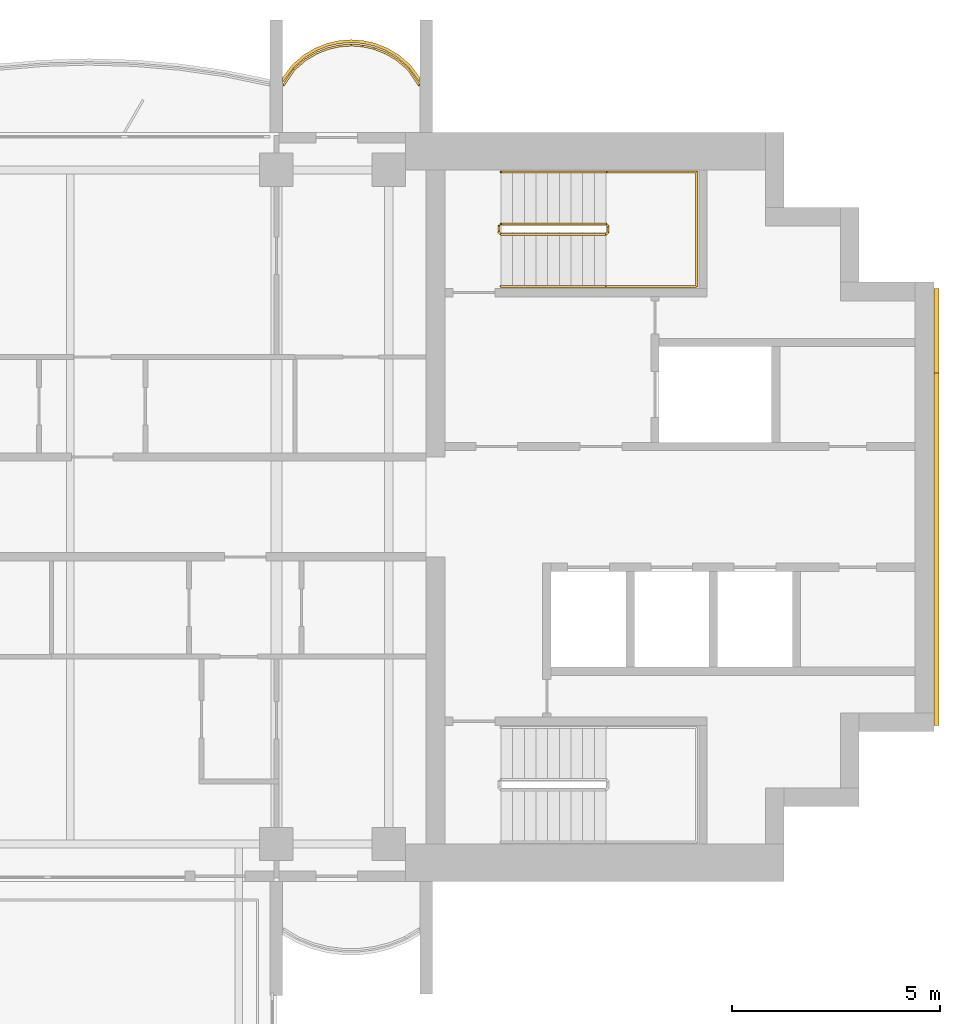
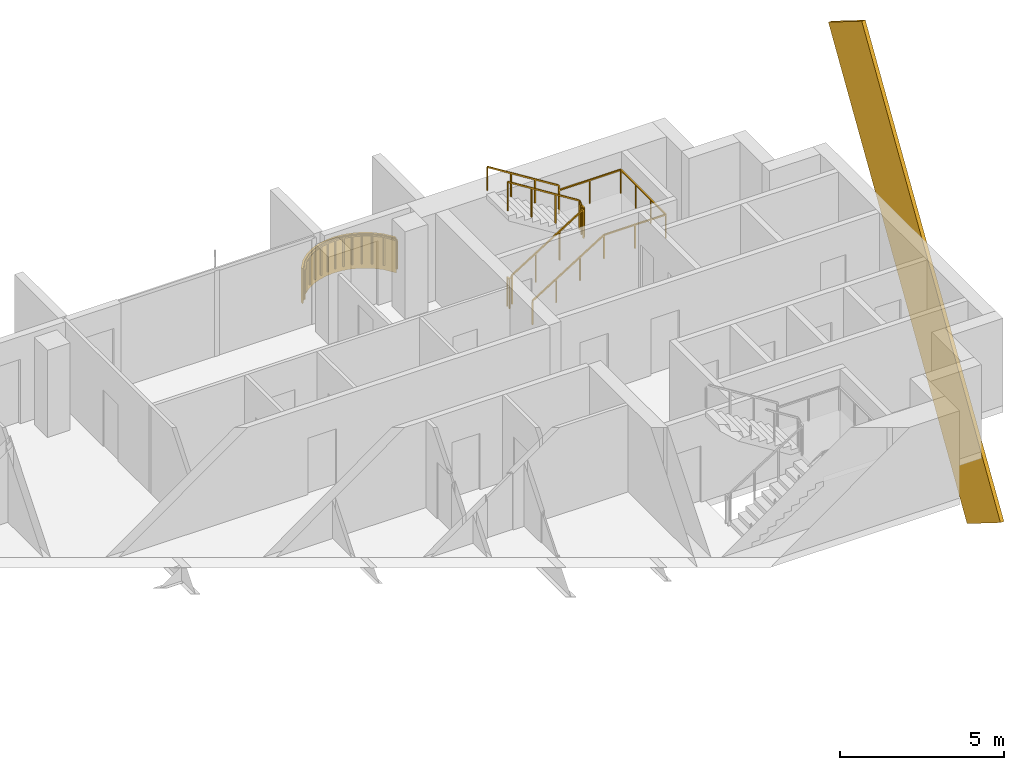
# One storey, part 16 of 16: 3 railings, 2 coverings.
"""IFC4 building model written with IfcOpenShell, lengths in metres."""

from ifc_helpers import new_model, si_unit, direction, frame, origin, origin_2d, place, context, subcontext, project, spatial, polyline, rectangle, outline, extrude, material, layer, layer_set, material_profile, profile_set, type_object, element, save


model = new_model("IFC4")

# Units and contexts
model_context = context("Model", 3, precision=1e-05, world=origin(), true_north=direction((0.0, 1.0)))
body_context = subcontext(model_context, "Body", "Model", "MODEL_VIEW")
ifc_project = project(units=[si_unit("LENGTHUNIT", "METRE"), si_unit("AREAUNIT", "SQUARE_METRE"), si_unit("VOLUMEUNIT", "CUBIC_METRE"), si_unit("PLANEANGLEUNIT", "RADIAN"), si_unit("MASSUNIT", "GRAM", prefix="KILO")], contexts=[model_context])

# Site, building, storey
site_placement = place(None, origin())
site = spatial("IfcSite", under=ifc_project, at=site_placement, CompositionType="ELEMENT")
building_placement = place(site_placement, origin())
building = spatial("IfcBuilding", under=site, at=building_placement, Name="Perihelion Cross Residences", CompositionType="ELEMENT")
storey_placement = place(building_placement, frame((0.0, 0.0, 253.5)))
storey = spatial("IfcBuildingStorey", under=building, at=storey_placement, Name="L64", CompositionType="ELEMENT", Elevation=253.5)

# Covering
ifc_material_1 = material(Name="Bronze anodised aluminium", Category="aluminium")
ifc_layer = layer(ifc_material_1, 0.070068359375)
ifc_layer_set = layer_set([ifc_layer], Name="Balcony fascia 1300")
covering_type_1 = type_object("IfcCoveringType", Name="Balcony fascia 1300", PredefinedType="CLADDING", material=ifc_layer_set)
covering_1_placement = place(storey_placement, frame((0.0, 0.0, -0.199951171875)))
element("IfcCovering", 1, at=covering_1_placement, inside=storey, type_object=covering_type_1, Name="Fascia BF1 L64 east side north bay 1", PredefinedType="CLADDING", context=body_context, shape_type="SweptSolid", body=[
    extrude(outline(polyline([(21.226318359375, 10.616455078125), (20.94091796875, 10.86328125), (20.655517578125, 11.031494140625), (20.370361328125, 11.142578125), (20.085205078125, 11.206298828125), (19.800048828125, 11.22705078125), (19.514892578125, 11.206298828125), (19.229736328125, 11.142578125), (18.9443359375, 11.031494140625), (18.6591796875, 10.86328125), (18.373779296875, 10.616455078125), (18.14990234375, 10.31689453125), (18.14990234375, 10.199951171875), (18.425048828125, 10.568603515625), (18.699951171875, 10.806396484375), (18.97509765625, 10.96875), (19.25, 11.07568359375), (19.52490234375, 11.136962890625), (19.800048828125, 11.156982421875), (20.074951171875, 11.136962890625), (20.35009765625, 11.07568359375), (20.625, 10.96875), (20.89990234375, 10.806396484375), (21.175048828125, 10.568603515625), (21.449951171875, 10.199951171875), (21.449951171875, 10.31689453125), (21.226318359375, 10.616455078125)])), origin(), (0.0, 0.0, 1.0), 1.300048828125),
])

# Railing
ifc_material_2 = material(Name="Bronze anodised aluminium", Category="aluminium")
railing_type_1 = type_object("IfcRailingType", Name="Balcony guard 1100", PredefinedType="GUARDRAIL", material=ifc_material_2)
railing_1_placement = place(storey_placement, frame((21.425048828125, 10.139892578125, 0.0)))
element("IfcRailing", 2, at=railing_1_placement, inside=storey, type_object=railing_type_1, Name="Guard GU1 L64 east side north bay 1 balcony", PredefinedType="GUARDRAIL", context=body_context, shape_type="SweptSolid", body=[
    extrude(rectangle(XDim=0.048095703125, YDim=0.048095703125, at=origin_2d()), frame((0.0, 0.0, 1.076171875), z_axis=(-0.561260132269, 0.827639452857, 0.0), x_axis=(-0.827639452857, -0.561260132269, 0.0)), (0.0, 0.0, 1.0), 0.4453125),
    extrude(rectangle(XDim=0.048095703125, YDim=0.048095703125, at=origin_2d()), frame((-0.25, 0.36865234375, 1.076171875), z_axis=(-0.756596535164, 0.653882009982, 0.0), x_axis=(-0.653882009982, -0.756596535164, 0.0)), (0.0, 0.0, 1.0), 0.36376953125),
    extrude(rectangle(XDim=0.048095703125, YDim=0.048095703125, at=origin_2d()), frame((-0.525146484375, 0.6064453125, 1.076171875), z_axis=(-0.861048292884, 0.508523192511, 0.0), x_axis=(-0.508523192511, -0.861048292884, 0.0)), (0.0, 0.0, 1.0), 0.3193359375),
    extrude(rectangle(XDim=0.048095703125, YDim=0.048095703125, at=origin_2d()), frame((-0.800048828125, 0.768798828125, 1.076171875), z_axis=(-0.931973602183, 0.362526143656, 0.0), x_axis=(-0.362526143656, -0.931973602183, 0.0)), (0.0, 0.0, 1.0), 0.294921875),
    extrude(rectangle(XDim=0.048095703125, YDim=0.048095703125, at=origin_2d()), frame((-1.074951171875, 0.875732421875, 1.076171875), z_axis=(-0.976085059389, 0.21738895289, 0.0), x_axis=(-0.21738895289, -0.976085059389, 0.0)), (0.0, 0.0, 1.0), 0.281982421875),
    extrude(rectangle(XDim=0.048095703125, YDim=0.048095703125, at=origin_2d()), frame((-1.35009765625, 0.93701171875, 1.076171875), z_axis=(-0.997358821833, 0.072631814734, 0.0), x_axis=(-0.072631814734, -0.997358821833, 0.0)), (0.0, 0.0, 1.0), 0.275634765625),
    extrude(rectangle(XDim=0.048095703125, YDim=0.048095703125, at=origin_2d()), frame((-1.625, 0.95703125, 1.076171875), z_axis=(-0.997363488337, -0.072567707226, 0.0), x_axis=(0.072567707226, -0.997363488337, 0.0)), (0.0, 0.0, 1.0), 0.27587890625),
    extrude(rectangle(XDim=0.048095703125, YDim=0.048095703125, at=origin_2d()), frame((-1.900146484375, 0.93701171875, 1.076171875), z_axis=(-0.976044077717, -0.217572880557, 0.0), x_axis=(0.217572880557, -0.976044077717, 0.0)), (0.0, 0.0, 1.0), 0.28173828125),
    extrude(rectangle(XDim=0.048095703125, YDim=0.048095703125, at=origin_2d()), frame((-2.175048828125, 0.875732421875, 1.076171875), z_axis=(-0.931973602183, -0.362526143656, 0.0), x_axis=(0.362526143656, -0.931973602183, 0.0)), (0.0, 0.0, 1.0), 0.294921875),
    extrude(rectangle(XDim=0.048095703125, YDim=0.048095703125, at=origin_2d()), frame((-2.449951171875, 0.768798828125, 1.076171875), z_axis=(-0.861245845072, -0.508188542123, 0.0), x_axis=(0.508188542123, -0.861245845072, 0.0)), (0.0, 0.0, 1.0), 0.319580078125),
    extrude(rectangle(XDim=0.048095703125, YDim=0.048095703125, at=origin_2d()), frame((-2.72509765625, 0.6064453125, 1.076171875), z_axis=(-0.756309278473, -0.654214242658, 0.0), x_axis=(0.654214242658, -0.756309278473, 0.0)), (0.0, 0.0, 1.0), 0.363525390625),
    extrude(rectangle(XDim=0.048095703125, YDim=0.048095703125, at=origin_2d()), frame((-3.0, 0.36865234375, 1.076171875), z_axis=(-0.561260132269, -0.827639452857, 0.0), x_axis=(0.827639452857, -0.561260132269, 0.0)), (0.0, 0.0, 1.0), 0.4453125),
    extrude(rectangle(XDim=0.0419921875, YDim=0.0419921875, at=origin_2d()), origin(), (0.0, 0.0, 1.0), 1.052001953125),
    extrude(rectangle(XDim=0.0419921875, YDim=0.0419921875, at=origin_2d()), frame((-0.25, 0.36865234375, 0.0)), (0.0, 0.0, 1.0), 1.052001953125),
    extrude(rectangle(XDim=0.0419921875, YDim=0.0419921875, at=origin_2d()), frame((-0.525146484375, 0.6064453125, 0.0)), (0.0, 0.0, 1.0), 1.052001953125),
    extrude(rectangle(XDim=0.0419921875, YDim=0.0419921875, at=origin_2d()), frame((-0.800048828125, 0.768798828125, 0.0)), (0.0, 0.0, 1.0), 1.052001953125),
    extrude(rectangle(XDim=0.0419921875, YDim=0.0419921875, at=origin_2d()), frame((-1.074951171875, 0.875732421875, 0.0)), (0.0, 0.0, 1.0), 1.052001953125),
    extrude(rectangle(XDim=0.0419921875, YDim=0.0419921875, at=origin_2d()), frame((-1.35009765625, 0.93701171875, 0.0)), (0.0, 0.0, 1.0), 1.052001953125),
    extrude(rectangle(XDim=0.0419921875, YDim=0.0419921875, at=origin_2d()), frame((-1.625, 0.95703125, 0.0)), (0.0, 0.0, 1.0), 1.052001953125),
    extrude(rectangle(XDim=0.0419921875, YDim=0.0419921875, at=origin_2d()), frame((-1.900146484375, 0.93701171875, 0.0)), (0.0, 0.0, 1.0), 1.052001953125),
    extrude(rectangle(XDim=0.0419921875, YDim=0.0419921875, at=origin_2d()), frame((-2.175048828125, 0.875732421875, 0.0)), (0.0, 0.0, 1.0), 1.052001953125),
    extrude(rectangle(XDim=0.0419921875, YDim=0.0419921875, at=origin_2d()), frame((-2.449951171875, 0.768798828125, 0.0)), (0.0, 0.0, 1.0), 1.052001953125),
    extrude(rectangle(XDim=0.0419921875, YDim=0.0419921875, at=origin_2d()), frame((-2.72509765625, 0.6064453125, 0.0)), (0.0, 0.0, 1.0), 1.052001953125),
    extrude(rectangle(XDim=0.0419921875, YDim=0.0419921875, at=origin_2d()), frame((-3.0, 0.36865234375, 0.0)), (0.0, 0.0, 1.0), 1.052001953125),
    extrude(rectangle(XDim=0.0419921875, YDim=0.0419921875, at=origin_2d()), frame((-3.25, 0.0, 0.0)), (0.0, 0.0, 1.0), 1.052001953125),
])

# Covering
ifc_material_3 = material(Name="Bronze anodised aluminium", Category="aluminium")
ifc_material_profile = material_profile(ifc_material_3, rectangle(XDim=0.125, YDim=2.39990234375, at=origin_2d()), Name="Bronze cladding band 2400")
ifc_profile_set = profile_set([ifc_material_profile], Name="Bronze anodised aluminium")
covering_type_2 = type_object("IfcCoveringType", Name="Bronze cladding band 2400", PredefinedType="CLADDING", material=ifc_profile_set)
covering_2_placement = place(storey_placement, frame((33.862548828125, -4.232421875, -5.088134765625), z_axis=(0.0, 0.529931619435, 0.848040375644), x_axis=(-1.0, 0.0, 0.0)))
element("IfcCovering", 3, at=covering_2_placement, inside=storey, type_object=covering_type_2, Name="Core cladding band, east core", PredefinedType="CLADDING", context=body_context, shape_type="SweptSolid", body=[
    extrude(rectangle(XDim=0.125, YDim=2.39990234375, at=origin_2d()), origin(), (0.0, 0.0, 1.0), 15.973388671875),
])

# Railings
ifc_material_4 = material(Name="Stainless steel", Category="steel")
railing_type_2 = type_object("IfcRailingType", Name="Stair guard 1100", PredefinedType="GUARDRAIL", material=ifc_material_4)
railing_2_placement = place(storey_placement, frame((23.35009765625, 6.75, 0.0)))
element("IfcRailing", 4, at=railing_2_placement, inside=storey, type_object=railing_type_2, Name="L64 ST-E1 stair guard 1", PredefinedType="GUARDRAIL", context=body_context, shape_type="SweptSolid", body=[
    extrude(rectangle(XDim=0.048095703125, YDim=0.048095703125, at=origin_2d()), frame((0.0, 0.0, 1.076171875), z_axis=(0.0, -1.0, 0.0), x_axis=(1.0, 0.0, 0.0)), (0.0, 0.0, 1.0), 0.14990234375),
    extrude(rectangle(XDim=0.048095703125, YDim=0.048095703125, at=origin_2d()), frame((0.0, -0.14990234375, 1.076171875), z_axis=(0.263862480399, -0.265155923931, 0.927399011991), x_axis=(0.708833529934, 0.705375805398, 0.0)), (0.0, 0.0, 1.0), 0.188720703125),
    extrude(rectangle(XDim=0.048095703125, YDim=0.048095703125, at=origin_2d()), frame((0.0498046875, -0.199951171875, 1.2509765625), z_axis=(0.848007534815, 0.0, 0.529984170421), x_axis=(0.0, 1.0, 0.0)), (0.0, 0.0, 1.0), 2.9716796875),
    extrude(rectangle(XDim=0.048095703125, YDim=0.048095703125, at=origin_2d()), frame((2.56982421875, -0.199951171875, 2.826171875), z_axis=(0.707106781187, 0.707106781187, 0.0), x_axis=(-0.707106781187, 0.707106781187, 0.0)), (0.0, 0.0, 1.0), 0.07080078125),
    extrude(rectangle(XDim=0.048095703125, YDim=0.048095703125, at=origin_2d()), frame((2.619873046875, -0.14990234375, 2.826171875), z_axis=(0.0, 1.0, 0.0), x_axis=(-1.0, 0.0, 0.0)), (0.0, 0.0, 1.0), 0.14990234375),
    extrude(rectangle(XDim=0.048095703125, YDim=0.048095703125, at=origin_2d()), frame((2.619873046875, 0.0, 2.826171875), z_axis=(-0.265065253269, 0.265065253269, 0.927081885822), x_axis=(-0.707106781187, -0.707106781187, 0.0)), (0.0, 0.0, 1.0), 0.188720703125),
    extrude(rectangle(XDim=0.048095703125, YDim=0.048095703125, at=origin_2d()), frame((2.56982421875, 0.050048828125, 3.0009765625), z_axis=(-0.848007534815, 0.0, 0.529984170421), x_axis=(0.0, -1.0, 0.0)), (0.0, 0.0, 1.0), 2.9716796875),
    extrude(rectangle(XDim=0.0419921875, YDim=0.0419921875, at=origin_2d()), origin(), (0.0, 0.0, 1.0), 1.052001953125),
    extrude(rectangle(XDim=0.0419921875, YDim=0.0419921875, at=origin_2d()), frame((0.0, -0.14990234375, 0.0)), (0.0, 0.0, 1.0), 1.052001953125),
    extrude(rectangle(XDim=0.0419921875, YDim=0.0419921875, at=origin_2d()), frame((0.0498046875, -0.199951171875, 0.175048828125)), (0.0, 0.0, 1.0), 1.052001953125),
    extrude(rectangle(XDim=0.0419921875, YDim=0.0419921875, at=origin_2d()), frame((0.889892578125, -0.199951171875, 0.699951171875)), (0.0, 0.0, 1.0), 1.052001953125),
    extrude(rectangle(XDim=0.0419921875, YDim=0.0419921875, at=origin_2d()), frame((1.729736328125, -0.199951171875, 1.22509765625)), (0.0, 0.0, 1.0), 1.052001953125),
    extrude(rectangle(XDim=0.0419921875, YDim=0.0419921875, at=origin_2d()), frame((2.56982421875, -0.199951171875, 1.75)), (0.0, 0.0, 1.0), 1.052001953125),
    extrude(rectangle(XDim=0.0419921875, YDim=0.0419921875, at=origin_2d()), frame((2.619873046875, -0.14990234375, 1.75)), (0.0, 0.0, 1.0), 1.052001953125),
    extrude(rectangle(XDim=0.0419921875, YDim=0.0419921875, at=origin_2d()), frame((2.619873046875, 0.0, 1.75)), (0.0, 0.0, 1.0), 1.052001953125),
    extrude(rectangle(XDim=0.0419921875, YDim=0.0419921875, at=origin_2d()), frame((2.56982421875, 0.050048828125, 1.925048828125)), (0.0, 0.0, 1.0), 1.052001953125),
    extrude(rectangle(XDim=0.0419921875, YDim=0.0419921875, at=origin_2d()), frame((1.729736328125, 0.050048828125, 2.449951171875)), (0.0, 0.0, 1.0), 1.052001953125),
    extrude(rectangle(XDim=0.0419921875, YDim=0.0419921875, at=origin_2d()), frame((0.889892578125, 0.050048828125, 2.97509765625)), (0.0, 0.0, 1.0), 1.052001953125),
    extrude(rectangle(XDim=0.0419921875, YDim=0.0419921875, at=origin_2d()), frame((0.0498046875, 0.050048828125, 3.5)), (0.0, 0.0, 1.0), 1.052001953125),
])
ifc_material_5 = material(Name="Stainless steel", Category="steel")
railing_type_3 = type_object("IfcRailingType", Name="Stair handrail 900", PredefinedType="HANDRAIL", material=ifc_material_5)
railing_3_placement = place(storey_placement, frame((23.39990234375, 5.300048828125, 0.175048828125)))
element("IfcRailing", 5, at=railing_3_placement, inside=storey, type_object=railing_type_3, Name="L64 ST-E1 stair handrail 1", PredefinedType="HANDRAIL", context=body_context, shape_type="SweptSolid", body=[
    extrude(rectangle(XDim=0.048095703125, YDim=0.048095703125, at=origin_2d()), frame((0.0, 0.0, 0.8759765625), z_axis=(0.848007534815, 0.0, 0.529984170421), x_axis=(0.0, 1.0, 0.0)), (0.0, 0.0, 1.0), 2.9716796875),
    extrude(rectangle(XDim=0.048095703125, YDim=0.048095703125, at=origin_2d()), frame((2.52001953125, 0.0, 2.45068359375), z_axis=(1.0, 0.0, 0.0), x_axis=(0.0, 1.0, 0.0)), (0.0, 0.0, 1.0), 2.18017578125),
    extrude(rectangle(XDim=0.048095703125, YDim=0.048095703125, at=origin_2d()), frame((4.7001953125, 0.0, 2.45068359375), z_axis=(0.0, 1.0, 0.0), x_axis=(-1.0, 0.0, 0.0)), (0.0, 0.0, 1.0), 2.75),
    extrude(rectangle(XDim=0.048095703125, YDim=0.048095703125, at=origin_2d()), frame((4.7001953125, 2.75, 2.45068359375), z_axis=(-1.0, 0.0, 0.0), x_axis=(0.0, -1.0, 0.0)), (0.0, 0.0, 1.0), 2.18017578125),
    extrude(rectangle(XDim=0.048095703125, YDim=0.048095703125, at=origin_2d()), frame((2.52001953125, 2.75, 2.45068359375), z_axis=(0.0, 0.0, 1.0), x_axis=(1.0, 0.0, 0.0)), (0.0, 0.0, 1.0), 0.175048828125),
    extrude(rectangle(XDim=0.048095703125, YDim=0.048095703125, at=origin_2d()), frame((2.52001953125, 2.75, 2.6259765625), z_axis=(-0.848007534815, 0.0, 0.529984170421), x_axis=(0.0, -1.0, 0.0)), (0.0, 0.0, 1.0), 2.9716796875),
    extrude(rectangle(XDim=0.0419921875, YDim=0.0419921875, at=origin_2d()), origin(), (0.0, 0.0, 1.0), 0.851806640625),
    extrude(rectangle(XDim=0.0419921875, YDim=0.0419921875, at=origin_2d()), frame((0.840087890625, 0.0, 0.52490234375)), (0.0, 0.0, 1.0), 0.851806640625),
    extrude(rectangle(XDim=0.0419921875, YDim=0.0419921875, at=origin_2d()), frame((1.679931640625, 0.0, 1.050048828125)), (0.0, 0.0, 1.0), 0.851806640625),
    extrude(rectangle(XDim=0.0419921875, YDim=0.0419921875, at=origin_2d()), frame((2.52001953125, 0.0, 1.574951171875)), (0.0, 0.0, 1.0), 0.851806640625),
    extrude(rectangle(XDim=0.0419921875, YDim=0.0419921875, at=origin_2d()), frame((3.610107421875, 0.0, 1.574951171875)), (0.0, 0.0, 1.0), 0.851806640625),
    extrude(rectangle(XDim=0.0419921875, YDim=0.0419921875, at=origin_2d()), frame((4.7001953125, 0.0, 1.574951171875)), (0.0, 0.0, 1.0), 0.851806640625),
    extrude(rectangle(XDim=0.0419921875, YDim=0.0419921875, at=origin_2d()), frame((4.7001953125, 0.916748046875, 1.574951171875)), (0.0, 0.0, 1.0), 0.851806640625),
    extrude(rectangle(XDim=0.0419921875, YDim=0.0419921875, at=origin_2d()), frame((4.7001953125, 1.833251953125, 1.574951171875)), (0.0, 0.0, 1.0), 0.851806640625),
    extrude(rectangle(XDim=0.0419921875, YDim=0.0419921875, at=origin_2d()), frame((4.7001953125, 2.75, 1.574951171875)), (0.0, 0.0, 1.0), 0.851806640625),
    extrude(rectangle(XDim=0.0419921875, YDim=0.0419921875, at=origin_2d()), frame((3.610107421875, 2.75, 1.574951171875)), (0.0, 0.0, 1.0), 0.851806640625),
    extrude(rectangle(XDim=0.0419921875, YDim=0.0419921875, at=origin_2d()), frame((2.52001953125, 2.75, 1.574951171875)), (0.0, 0.0, 1.0), 0.851806640625),
    extrude(rectangle(XDim=0.0419921875, YDim=0.0419921875, at=origin_2d()), frame((2.52001953125, 2.75, 1.75)), (0.0, 0.0, 1.0), 0.851806640625),
    extrude(rectangle(XDim=0.0419921875, YDim=0.0419921875, at=origin_2d()), frame((1.679931640625, 2.75, 2.27490234375)), (0.0, 0.0, 1.0), 0.851806640625),
    extrude(rectangle(XDim=0.0419921875, YDim=0.0419921875, at=origin_2d()), frame((0.840087890625, 2.75, 2.800048828125)), (0.0, 0.0, 1.0), 0.851806640625),
    extrude(rectangle(XDim=0.0419921875, YDim=0.0419921875, at=origin_2d()), frame((0.0, 2.75, 3.324951171875)), (0.0, 0.0, 1.0), 0.851806640625),
])

save(model, "model.ifc")
